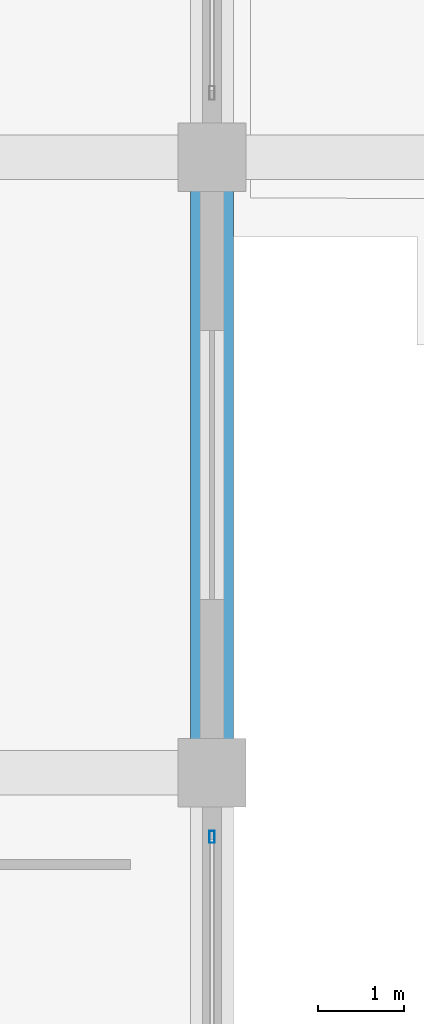
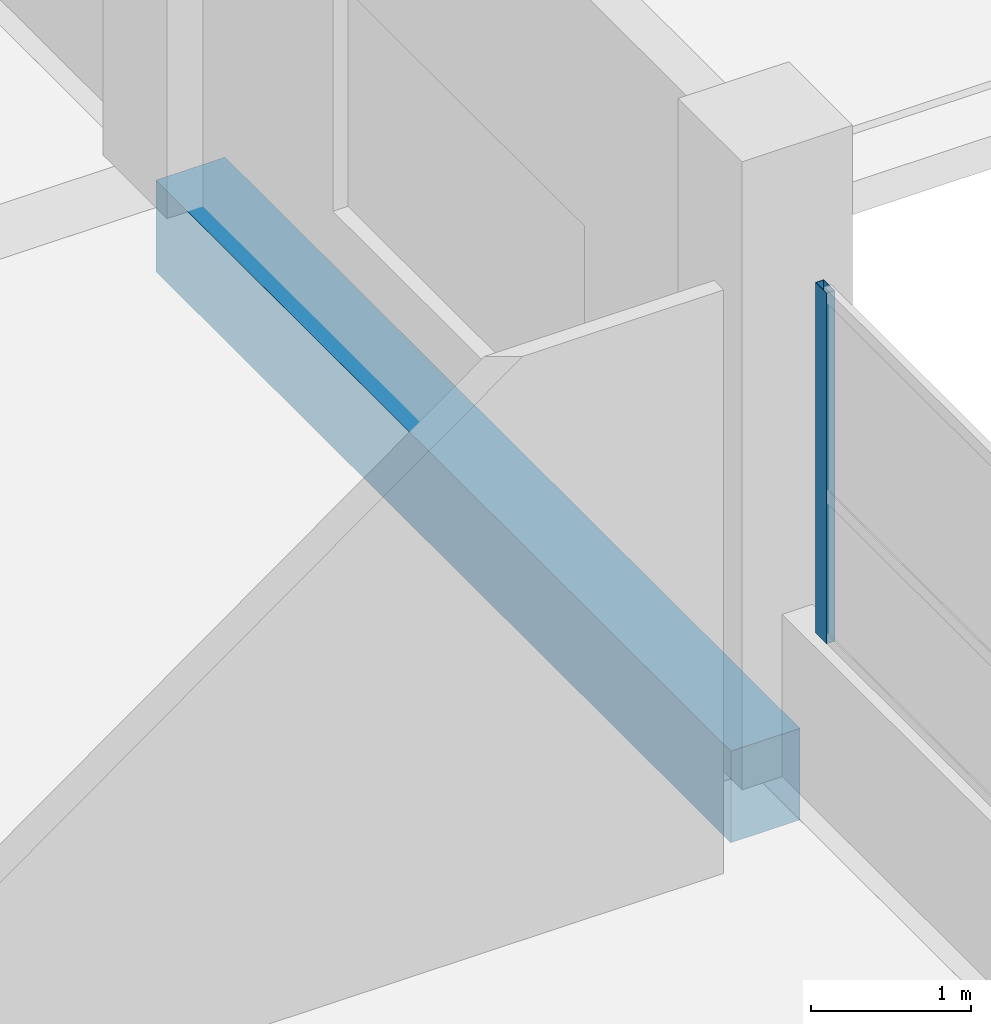
# One storey, part 71 of 140: 1 beam, 1 member, 1 element without a shape of its own.
"""IFC4 building model written with IfcOpenShell, lengths in metres."""

import ifcopenshell
import ifcopenshell.guid

model = None  # the IFC model being written
_history = None  # IfcOwnerHistory: only IFC2X3 demands one
_inside = {}  # id of a spatial element -> (the spatial element, [elements in it])
_under = {}  # id of a project, library or spatial element -> (it, [spatial elements below it])
_declared = {}  # id of a project -> (the project, [libraries it declares])
_typed = {}  # id of a type object -> (the type object, [elements of that type])
_made_of = {}  # id of a material, layer set ... -> (it, [elements and type objects made of it])


def new_model(schema):
    """Start an empty IFC model of exactly this schema.

    Asked for "IFC4X3", IfcOpenShell would pick the latest addendum, in which some entities
    have other attributes; the version numbers below select the first issue.
    IFC2X3 requires an IfcOwnerHistory on every rooted entity: one is made here for all.
    """
    global model, _history
    if schema == "IFC4X3":
        model = ifcopenshell.file(schema_version=(4, 3, 0, 0))
    else:
        model = ifcopenshell.file(schema=schema)
    _inside.clear()
    _under.clear()
    _declared.clear()
    _typed.clear()
    _made_of.clear()
    _history = None
    if model.schema == "IFC2X3":
        org = make("IfcOrganization", Name="unknown")
        user = make(
            "IfcPersonAndOrganization",
            ThePerson=make("IfcPerson", FamilyName="unknown"),
            TheOrganization=org,
        )
        app = make(
            "IfcApplication",
            ApplicationDeveloper=org,
            Version="unknown",
            ApplicationFullName="unknown",
            ApplicationIdentifier="unknown",
        )
        _history = make(
            "IfcOwnerHistory",
            OwningUser=user,
            OwningApplication=app,
            ChangeAction="ADDED",
            CreationDate=0,
        )
    return model


def make(cls, **values):
    """One entity of the class cls with the attributes given. An attribute that is None is left unset."""
    return model.create_entity(
        cls, **{name: value for name, value in values.items() if value is not None}
    )


def rooted(cls, **values):
    """An entity with a GlobalId (a new one), such as an element, a storey or a relation."""
    return make(cls, GlobalId=ifcopenshell.guid.new(), OwnerHistory=_history, **values)


def si_unit(unit_type, name, prefix=None):
    """IfcSIUnit, for example si_unit("LENGTHUNIT", "METRE", prefix="MILLI")."""
    return make("IfcSIUnit", UnitType=unit_type, Prefix=prefix, Name=name)


def assignment(units):
    """IfcUnitAssignment: the units of a project."""
    return None if units is None else make("IfcUnitAssignment", Units=units)


def point(xyz):
    """IfcCartesianPoint."""
    return None if xyz is None else make("IfcCartesianPoint", Coordinates=xyz)


def direction(xyz):
    """IfcDirection."""
    return None if xyz is None else make("IfcDirection", DirectionRatios=xyz)


def frame(location, z_axis=None, x_axis=None):
    """IfcAxis2Placement3D, a coordinate frame: its origin and axes. An axis left out is left unset."""
    return make(
        "IfcAxis2Placement3D",
        Location=point(location),
        Axis=direction(z_axis),
        RefDirection=direction(x_axis),
    )


def frame_2d(location, x_axis=None):
    """IfcAxis2Placement2D, a coordinate frame in the plane: its origin and x axis."""
    return make(
        "IfcAxis2Placement2D", Location=point(location), RefDirection=direction(x_axis)
    )


def origin():
    """The frame at (0, 0, 0) with its axes left unset."""
    return frame((0.0, 0.0, 0.0))


def origin_2d():
    """The frame at (0, 0) in the plane with its x axis left unset."""
    return frame_2d((0.0, 0.0))


def place(relative_to, where):
    """IfcLocalPlacement: puts the frame where relative to a parent placement (None: the world)."""
    return make(
        "IfcLocalPlacement", PlacementRelTo=relative_to, RelativePlacement=where
    )


def context(
    kind, dimensions, precision=None, world=None, true_north=None, identifier=None
):
    """IfcGeometricRepresentationContext, for example the 3D "Model" context."""
    return make(
        "IfcGeometricRepresentationContext",
        ContextIdentifier=identifier,
        ContextType=kind,
        CoordinateSpaceDimension=dimensions,
        Precision=precision,
        WorldCoordinateSystem=world,
        TrueNorth=true_north,
    )


def subcontext(parent, identifier, kind, view, scale=None):
    """IfcGeometricRepresentationSubContext, for example "Body" below "Model"."""
    return make(
        "IfcGeometricRepresentationSubContext",
        ContextIdentifier=identifier,
        ContextType=kind,
        ParentContext=parent,
        TargetScale=scale,
        TargetView=view,
    )


def project(units=None, contexts=None):
    """IfcProject with its units and contexts."""
    return rooted(
        "IfcProject",
        Name="project",
        RepresentationContexts=contexts,
        UnitsInContext=assignment(units),
    )


def spatial(cls, under=None, at=None, **own):
    """A site, building, storey or space (cls), placed at a placement, below another one or the project."""
    s = rooted(cls, ObjectPlacement=at, **own)
    if under is not None:
        _under.setdefault(under.id(), (under, []))[1].append(s)
    return s


def profile(cls, at=None, kind="AREA", **sizes):
    """A parametric profile (cls). Its sizes go by their IFC names, for example OverallWidth=200.0."""
    return make(cls, ProfileType=kind, Position=at, **sizes)


def rectangle(**sizes):
    """IfcRectangleProfileDef."""
    return profile("IfcRectangleProfileDef", **sizes)


def hollow_rectangle(**sizes):
    """IfcRectangleHollowProfileDef."""
    return profile("IfcRectangleHollowProfileDef", **sizes)


def extrude(swept, where, along, depth):
    """IfcExtrudedAreaSolid: the profile swept, set in the frame where, extruded along a direction by depth."""
    return make(
        "IfcExtrudedAreaSolid",
        SweptArea=swept,
        Position=where,
        ExtrudedDirection=direction(along),
        Depth=depth,
    )


def shape(context_of_items, identifier, shape_type, items):
    """IfcShapeRepresentation: the items that make up one representation, for example the "Body"."""
    return make(
        "IfcShapeRepresentation",
        ContextOfItems=context_of_items,
        RepresentationIdentifier=identifier,
        RepresentationType=shape_type,
        Items=items,
    )


def material(Name=None, Category=None):
    """IfcMaterial."""
    return make("IfcMaterial", Name=Name, Category=Category)


def layer(
    of_material, thickness, ventilated=None, Name=None, Category=None, Priority=None
):
    """IfcMaterialLayer: one layer of a wall or slab, of a material (None: an air gap)."""
    return make(
        "IfcMaterialLayer",
        Material=of_material,
        LayerThickness=thickness,
        IsVentilated=ventilated,
        Name=Name,
        Category=Category,
        Priority=Priority,
    )


def layer_set(layers, Name=None):
    """IfcMaterialLayerSet."""
    return make("IfcMaterialLayerSet", MaterialLayers=layers, LayerSetName=Name)


def material_profile(
    of_material, cross_section, Name=None, Category=None, Priority=None
):
    """IfcMaterialProfile: a cross section and its material."""
    return make(
        "IfcMaterialProfile",
        Name=Name,
        Material=of_material,
        Profile=cross_section,
        Priority=Priority,
        Category=Category,
    )


def profile_set(profiles, Name=None, composite=None):
    """IfcMaterialProfileSet."""
    return make(
        "IfcMaterialProfileSet",
        Name=Name,
        MaterialProfiles=profiles,
        CompositeProfile=composite,
    )


def made_of(thing, what):
    """Note that an element or type object is made of a material, layer set ...; save() writes the relation."""
    if what is not None:
        _made_of.setdefault(what.id(), (what, []))[1].append(thing)
    return thing


def type_object(cls, material=None, **own):
    """A type object (cls), such as IfcWallType, which elements share."""
    return made_of(rooted(cls, **own), material)


def element(
    cls,
    number,
    at=None,
    inside=None,
    cuts=None,
    type_object=None,
    material=None,
    context=None,
    identifier="Body",
    shape_type=None,
    held_by="IfcProductDefinitionShape",
    body=None,
    shapes=None,
    **own,
):
    """One element of the class cls, such as IfcWall. Its Tag is "e" and its number.

    at: its placement. inside: the storey or other place that contains it. cuts: it is an
    opening in that element (IfcRelVoidsElement). A single representation is given by context,
    identifier, shape_type and body (its items); several are given by shapes. held_by: the class
    of the entity that holds the representations. save() writes the other relations.
    """
    e = rooted(cls, Tag="e%d" % number, ObjectPlacement=at, **own)
    if body is not None:
        shapes = [shape(context, identifier, shape_type, body)]
    if shapes is not None:
        e.Representation = make(held_by, Representations=shapes)
    if inside is not None:
        _inside.setdefault(inside.id(), (inside, []))[1].append(e)
    if cuts is not None:
        rooted(
            "IfcRelVoidsElement", RelatingBuildingElement=cuts, RelatedOpeningElement=e
        )
    if type_object is not None:
        _typed.setdefault(type_object.id(), (type_object, []))[1].append(e)
    return made_of(e, material)


def aggregate(whole, parts):
    """IfcRelAggregates: a whole, such as a stair, and the parts it consists of."""
    return rooted("IfcRelAggregates", RelatingObject=whole, RelatedObjects=parts)


def save(model, path):
    """Write the relations noted so far, then the file.

    IfcRelAggregates (storeys below a building ...), IfcRelContainedInSpatialStructure (elements
    in a storey), IfcRelDefinesByType, IfcRelAssociatesMaterial and IfcRelDeclares: one each for
    every whole, place, type object, material and project.
    """
    for whole, parts in _under.values():
        aggregate(whole, parts)
    for where, things in _inside.values():
        rooted(
            "IfcRelContainedInSpatialStructure",
            RelatedElements=things,
            RelatingStructure=where,
        )
    for kind, things in _typed.values():
        rooted("IfcRelDefinesByType", RelatedObjects=things, RelatingType=kind)
    for what, things in _made_of.values():
        rooted("IfcRelAssociatesMaterial", RelatedObjects=things, RelatingMaterial=what)
    for by, libraries in _declared.values():
        rooted("IfcRelDeclares", RelatingContext=by, RelatedDefinitions=libraries)
    model.write(path)


model = new_model("IFC4")

# Units and contexts
model_context = context("Model", 3, precision=1e-05, world=origin(), true_north=direction((0.0, 1.0)))
body_context = subcontext(model_context, "Body", "Model", "MODEL_VIEW")
ifc_project = project(units=[si_unit("LENGTHUNIT", "METRE"), si_unit("AREAUNIT", "SQUARE_METRE"), si_unit("VOLUMEUNIT", "CUBIC_METRE"), si_unit("PLANEANGLEUNIT", "RADIAN"), si_unit("MASSUNIT", "GRAM", prefix="KILO")], contexts=[model_context])

# Site, building, storey
site_placement = place(None, origin())
site = spatial("IfcSite", under=ifc_project, at=site_placement, CompositionType="ELEMENT")
building_placement = place(site_placement, origin())
building = spatial("IfcBuilding", under=site, at=building_placement, Name="Seraya Terrace Polytechnic", CompositionType="ELEMENT")
storey_placement = place(building_placement, frame((0.0, 0.0, 9.60009765625)))
storey = spatial("IfcBuildingStorey", under=building, at=storey_placement, Name="L02", CompositionType="ELEMENT", Elevation=9.60009765625)

# Beam
ifc_material_1 = material(Name="Concrete C40/50", Category="concrete")
ifc_material_profile_1 = material_profile(ifc_material_1, rectangle(XDim=0.5, YDim=0.699951171875, at=origin_2d()), Name="RC 500x700")
ifc_profile_set_1 = profile_set([ifc_material_profile_1], Name="Concrete C40/50")
beam_type = type_object("IfcBeamType", Name="BM-07", PredefinedType="BEAM", material=ifc_profile_set_1)
beam_placement = place(storey_placement, frame((108.0, 64.800048828125, -0.35009765625), z_axis=(0.0, 1.0, 0.0), x_axis=(-1.0, 0.0, 0.0)))
element("IfcBeam", 1, at=beam_placement, inside=storey, type_object=beam_type, Name="Beam BM-07 L02 Y (108.0, 64.8..72.0)", PredefinedType="BEAM", context=body_context, shape_type="SweptSolid", body=[
    extrude(rectangle(XDim=0.5, YDim=0.699951171875, at=origin_2d()), origin(), (0.0, 0.0, 1.0), 7.199951171875),
])

# Curtain wall, member
ifc_material_2 = material(Name="Anodised aluminium EN AW-6063 T6", Category="aluminium")
ifc_layer = layer(ifc_material_2, 0.179931640625, Name="CW-24")
ifc_layer_set = layer_set([ifc_layer], Name="Anodised aluminium EN AW-6063 T6")
curtain_wall_type = type_object("IfcCurtainWallType", Name="CW-24", PredefinedType="NOTDEFINED", material=ifc_layer_set)
curtain_wall_placement = place(storey_placement, origin())
curtain_wall = element("IfcCurtainWall", 2, at=curtain_wall_placement, inside=storey, type_object=curtain_wall_type, Name="Unitised curtain wall CW-24 (CW-L02-060)", PredefinedType="NOTDEFINED")
ifc_material_profile_2 = material_profile(ifc_material_2, hollow_rectangle(XDim=0.06005859375, YDim=0.139892578125, WallThickness=0.00341796875, at=origin_2d()), Name="RHS 140x60x3.5")
ifc_profile_set_2 = profile_set([ifc_material_profile_2], Name="Anodised aluminium EN AW-6063 T6")
member_type = type_object("IfcMemberType", Name="CWM-03", PredefinedType="MULLION", material=ifc_profile_set_2)
member_placement = place(storey_placement, frame((108.0, 64.050048828125, 1.239990234375), z_axis=(0.0, 0.0, 1.0), x_axis=(1.0, 0.0, 0.0)))
member = element("IfcMember", 3, at=member_placement, type_object=member_type, Name="CW-24 mullion 1", PredefinedType="MULLION", context=body_context, shape_type="SweptSolid", body=[
    extrude(hollow_rectangle(XDim=0.06005859375, YDim=0.139892578125, WallThickness=0.00341796875, at=origin_2d()), origin(), (0.0, 0.0, 1.0), 2.679931640625),
])
aggregate(curtain_wall, [member])

save(model, "model.ifc")
